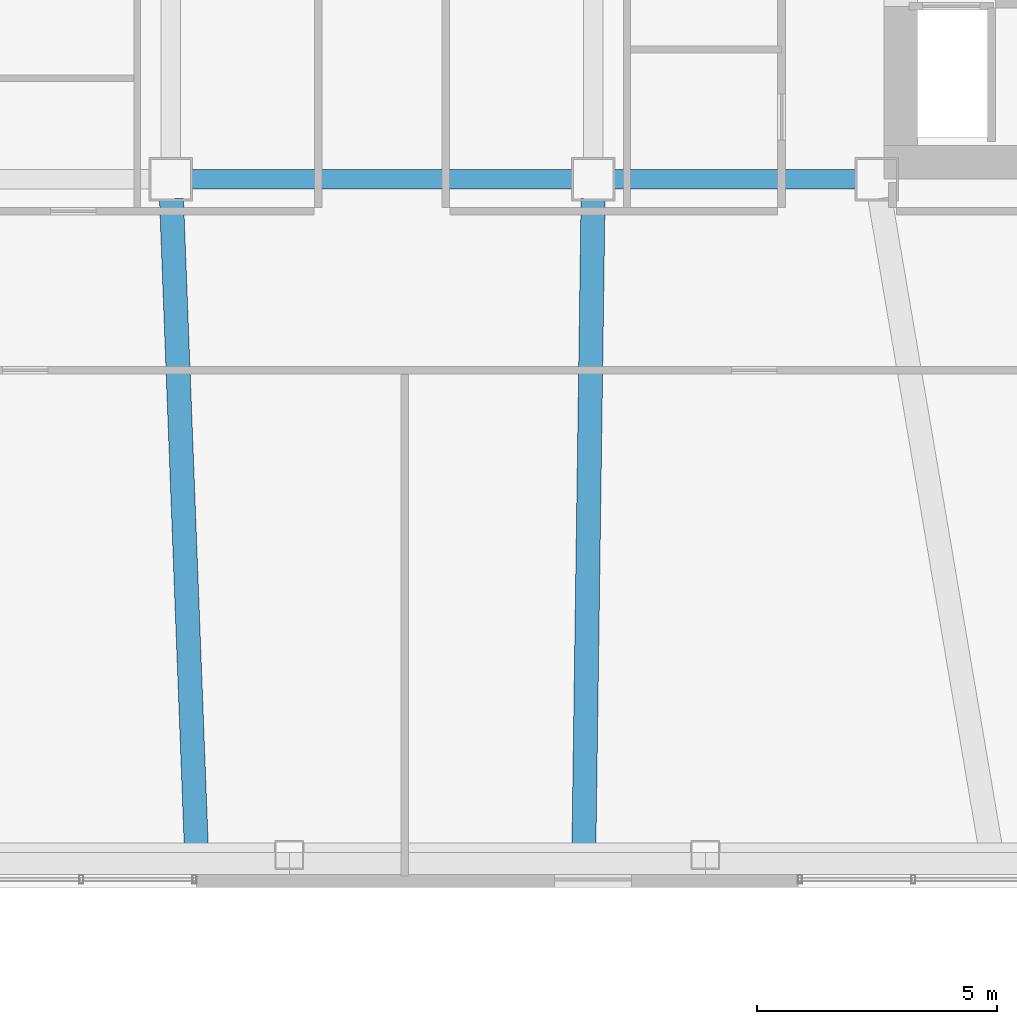
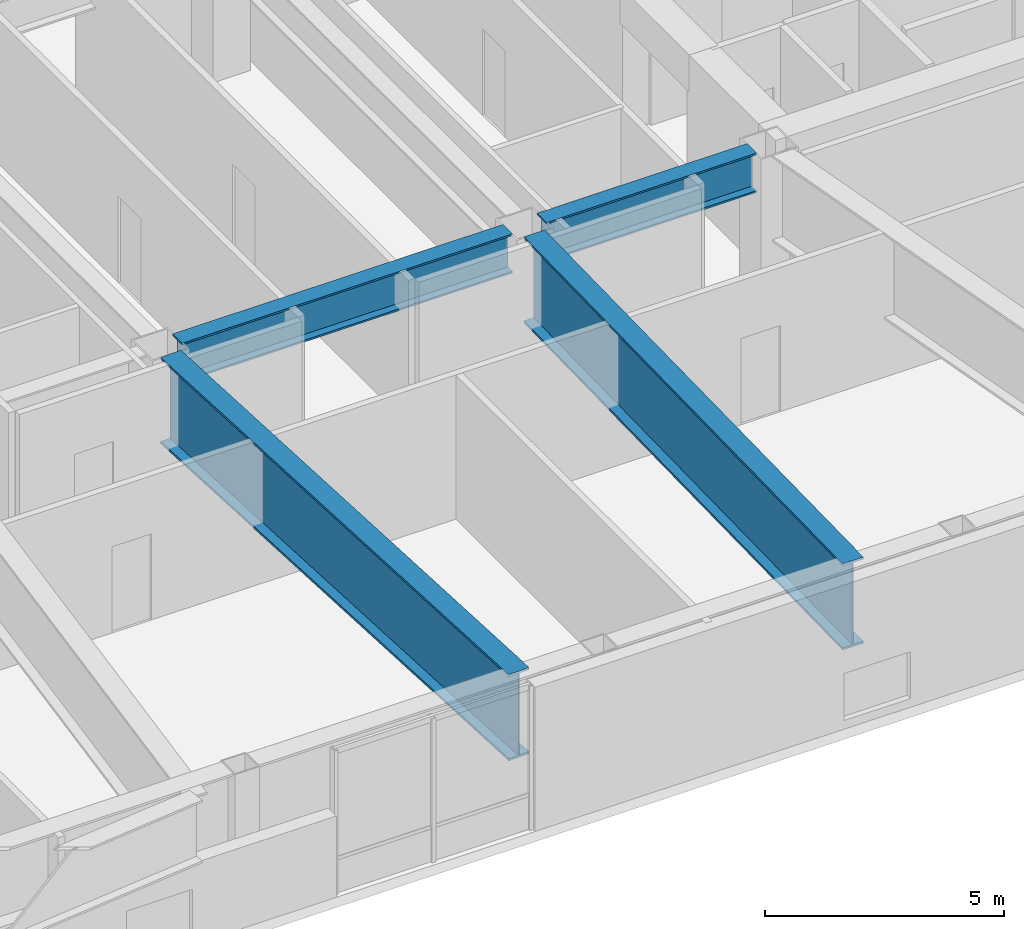
# One storey, part 5 of 19: 4 beams.
"""IFC4 building model written with IfcOpenShell, lengths in metres."""

from ifc_helpers import new_model, si_unit, direction, frame, origin, origin_2d, place, context, subcontext, project, spatial, i_section, extrude, material, material_profile, profile_set, type_object, element, save


model = new_model("IFC4")

# Units and contexts
model_context = context("Model", 3, precision=1e-05, world=origin(), true_north=direction((0.0, 1.0)))
body_context = subcontext(model_context, "Body", "Model", "MODEL_VIEW")
ifc_project = project(units=[si_unit("LENGTHUNIT", "METRE"), si_unit("AREAUNIT", "SQUARE_METRE"), si_unit("VOLUMEUNIT", "CUBIC_METRE"), si_unit("PLANEANGLEUNIT", "RADIAN"), si_unit("MASSUNIT", "GRAM", prefix="KILO")], contexts=[model_context])

# Site, building, storey
site_placement = place(None, origin())
site = spatial("IfcSite", under=ifc_project, at=site_placement, CompositionType="ELEMENT")
building_placement = place(site_placement, origin())
building = spatial("IfcBuilding", under=site, at=building_placement, Name="Tavrogorsk Clinical Tower", CompositionType="ELEMENT")
storey_placement = place(building_placement, frame((0.0, 0.0, 204.199951171875)))
storey = spatial("IfcBuildingStorey", under=building, at=storey_placement, Name="L47", CompositionType="ELEMENT", Elevation=204.199951171875)

# Beams
ifc_material_1 = material(Name="Structural steel S440", Category="steel")
ifc_material_profile_1 = material_profile(ifc_material_1, i_section(OverallWidth=0.39990234375, OverallDepth=1.0, WebThickness=0.028076171875, FlangeThickness=0.044921875, at=origin_2d()), Name="DK-1000x400x28x45")
ifc_profile_set_1 = profile_set([ifc_material_profile_1], Name="Structural steel S440")
beam_type_1 = type_object("IfcBeamType", Name="TransferGirder_DK1000", PredefinedType="USERDEFINED", material=ifc_profile_set_1)
beam_1_placement = place(storey_placement, frame((-3.989990234375, -6.35009765625, 3.179931640625), z_axis=(1.0, 0.0, 0.0), x_axis=(0.0, 1.0, 0.0)))
element("IfcBeam", 1, at=beam_1_placement, inside=storey, type_object=beam_type_1, Name="L47 Primary Spine Girder MG-03", ObjectType="GIRDER", PredefinedType="USERDEFINED", context=body_context, shape_type="SweptSolid", body=[
    extrude(i_section(OverallWidth=0.39990234375, OverallDepth=1.0, WebThickness=0.028076171875, FlangeThickness=0.044921875, at=origin_2d()), origin(), (0.0, 0.0, 1.0), 7.97998046875),
])
beam_2_placement = place(storey_placement, frame((4.81005859375, -6.35009765625, 3.179931640625), z_axis=(1.0, 0.0, 0.0), x_axis=(0.0, 1.0, 0.0)))
element("IfcBeam", 2, at=beam_2_placement, inside=storey, type_object=beam_type_1, Name="L47 Primary Spine Girder MG-05", ObjectType="GIRDER", PredefinedType="USERDEFINED", context=body_context, shape_type="SweptSolid", body=[
    extrude(i_section(OverallWidth=0.39990234375, OverallDepth=1.0, WebThickness=0.028076171875, FlangeThickness=0.044921875, at=origin_2d()), origin(), (0.0, 0.0, 1.0), 5.079833984375),
])
ifc_material_2 = material(Name="Structural steel S440", Category="steel")
ifc_material_profile_2 = material_profile(ifc_material_2, i_section(OverallWidth=0.5, OverallDepth=2.199951171875, WebThickness=0.035888671875, FlangeThickness=0.054931640625, at=origin_2d()), Name="DK-2200x500x36x55")
ifc_profile_set_2 = profile_set([ifc_material_profile_2], Name="Structural steel S440")
beam_type_2 = type_object("IfcBeamType", Name="TransferGirder_DK2200", PredefinedType="USERDEFINED", material=ifc_profile_set_2)
beam_3_placement = place(storey_placement, frame((-4.38427734375, -6.759765625, 2.580078125), z_axis=(0.038254791493, -0.999268017565, 0.0), x_axis=(0.999268017565, 0.038254791493, 0.0)))
element("IfcBeam", 3, at=beam_3_placement, inside=storey, type_object=beam_type_2, Name="L48 Block Transfer Girder S4", ObjectType="GIRDER", PredefinedType="USERDEFINED", context=body_context, shape_type="SweptSolid", body=[
    extrude(i_section(OverallWidth=0.5, OverallDepth=2.199951171875, WebThickness=0.035888671875, FlangeThickness=0.054931640625, at=origin_2d()), origin(), (0.0, 0.0, 1.0), 13.670166015625),
])
beam_4_placement = place(storey_placement, frame((4.394287109375, -6.760009765625, 2.580078125), z_axis=(-0.01410022275, -0.999900586918, 0.0), x_axis=(0.999900586918, -0.01410022275, 0.0)))
element("IfcBeam", 4, at=beam_4_placement, inside=storey, type_object=beam_type_2, Name="L48 Block Transfer Girder S5", ObjectType="GIRDER", PredefinedType="USERDEFINED", context=body_context, shape_type="SweptSolid", body=[
    extrude(i_section(OverallWidth=0.5, OverallDepth=2.199951171875, WebThickness=0.035888671875, FlangeThickness=0.054931640625, at=origin_2d()), origin(), (0.0, 0.0, 1.0), 13.661376953125),
])

save(model, "model.ifc")
